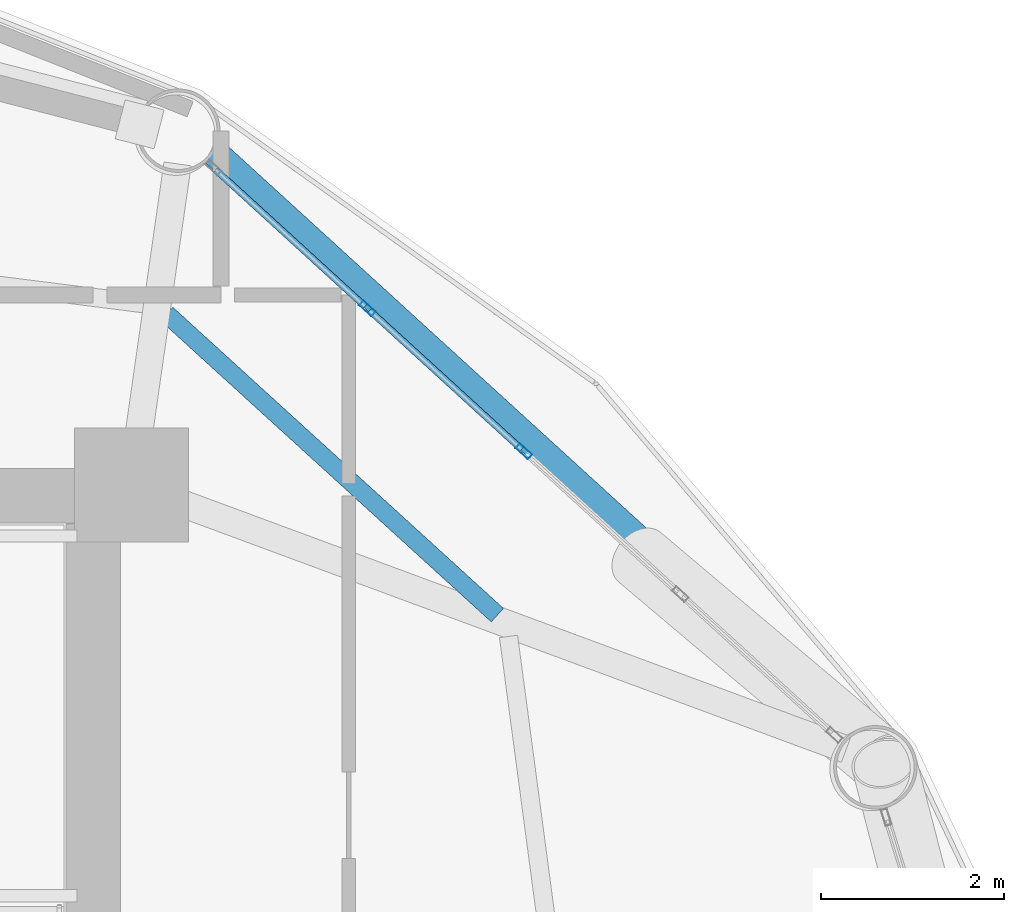
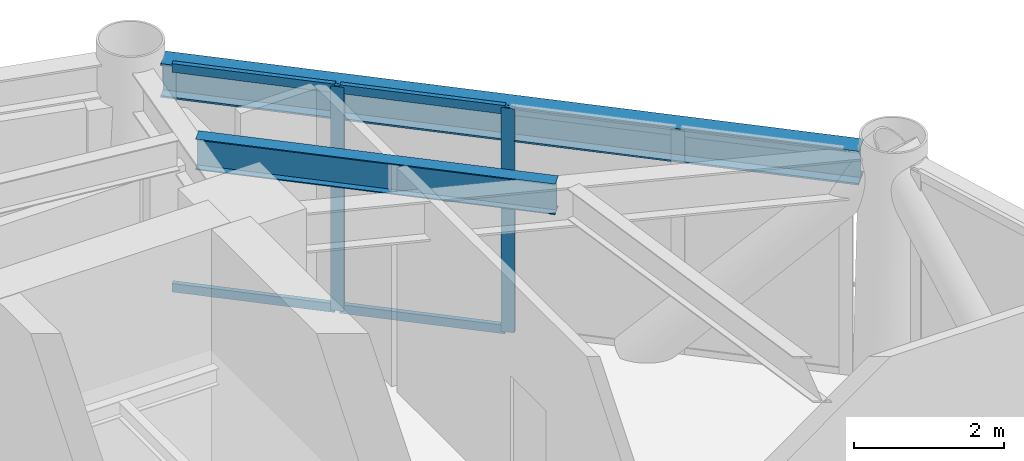
# One storey, part 20 of 26: 6 members, 2 beams, 1 element without a shape of its own.
"""IFC4 building model written with IfcOpenShell, lengths in metres."""

from ifc_helpers import new_model, si_unit, direction, frame, origin, origin_2d, place, context, subcontext, project, spatial, hollow_rectangle, i_section, extrude, material, layer, layer_set, material_profile, profile_set, type_object, element, aggregate, save


model = new_model("IFC4")

# Units and contexts
model_context = context("Model", 3, precision=1e-05, world=origin(), true_north=direction((0.0, 1.0)))
body_context = subcontext(model_context, "Body", "Model", "MODEL_VIEW")
ifc_project = project(units=[si_unit("LENGTHUNIT", "METRE"), si_unit("AREAUNIT", "SQUARE_METRE"), si_unit("VOLUMEUNIT", "CUBIC_METRE"), si_unit("PLANEANGLEUNIT", "RADIAN"), si_unit("MASSUNIT", "GRAM", prefix="KILO")], contexts=[model_context])

# Site, building, storey
site_placement = place(None, origin())
site = spatial("IfcSite", under=ifc_project, at=site_placement, CompositionType="ELEMENT")
building_placement = place(site_placement, origin())
building = spatial("IfcBuilding", under=site, at=building_placement, Name="Varnakorn Sky Granary", CompositionType="ELEMENT")
storey_placement = place(building_placement, frame((0.0, 0.0, 47.10009765625)))
storey = spatial("IfcBuildingStorey", under=building, at=storey_placement, Name="L11", CompositionType="ELEMENT", Elevation=47.10009765625)

# Beams
ifc_material_1 = material(Name="Steel S355JR", Category="steel")
ifc_material_profile_1 = material_profile(ifc_material_1, i_section(OverallWidth=0.199951171875, OverallDepth=0.5, WebThickness=0.01025390625, FlangeThickness=0.01611328125, at=origin_2d()), Name="IPE 500")
ifc_profile_set_1 = profile_set([ifc_material_profile_1], Name="Steel S355JR")
beam_type_1 = type_object("IfcBeamType", Name="BM-SEC-Z1", PredefinedType="BEAM", material=ifc_profile_set_1)
beam_1_placement = place(storey_placement, frame((12.427734375, 11.192626953125, 3.389892578125), z_axis=(-0.739322005962, 0.673352041284, 0.0), x_axis=(-0.673352041284, -0.739322005962, 0.0)))
element("IfcBeam", 1, at=beam_1_placement, inside=storey, type_object=beam_type_1, Name="Secondary Floor Chord Beam MSB02 L11", PredefinedType="BEAM", context=body_context, shape_type="SweptSolid", body=[
    extrude(i_section(OverallWidth=0.199951171875, OverallDepth=0.5, WebThickness=0.01025390625, FlangeThickness=0.01611328125, at=origin_2d()), origin(), (0.0, 0.0, 1.0), 4.89990234375),
])
ifc_material_profile_2 = material_profile(ifc_material_1, i_section(OverallWidth=0.300048828125, OverallDepth=0.550048828125, WebThickness=0.014892578125, FlangeThickness=0.029052734375, at=origin_2d()), Name="HE 550 B")
ifc_profile_set_2 = profile_set([ifc_material_profile_2], Name="Steel S355JR")
beam_type_2 = type_object("IfcBeamType", Name="BM-SPD-Z1", PredefinedType="SPANDREL", material=ifc_profile_set_2)
beam_2_placement = place(storey_placement, frame((16.336669921875, 9.866943359375, 3.364990234375), z_axis=(-0.73868168788, 0.674054422129, 0.0), x_axis=(-0.674054422129, -0.73868168788, 0.0)))
element("IfcBeam", 2, at=beam_2_placement, inside=storey, type_object=beam_type_2, Name="Perimeter Spandrel Ring Beam RB02 L11", PredefinedType="SPANDREL", context=body_context, shape_type="SweptSolid", body=[
    extrude(i_section(OverallWidth=0.300048828125, OverallDepth=0.550048828125, WebThickness=0.014892578125, FlangeThickness=0.029052734375, at=origin_2d()), origin(), (0.0, 0.0, 1.0), 9.50830078125),
])

# Curtain wall, members
ifc_material_2 = material(Name="Anodised Bronze Aluminium Alloy 6063-T6", Category="aluminium")
ifc_layer = layer(ifc_material_2, 0.18994140625, Name="Anodised Bronze Aluminium Alloy 6063-T6")
ifc_layer_set = layer_set([ifc_layer], Name="Anodised Bronze Aluminium Alloy 6063-T6")
curtain_wall_type = type_object("IfcCurtainWallType", Name="CW-FRM-1", PredefinedType="USERDEFINED", material=ifc_layer_set)
curtain_wall_placement = place(storey_placement, origin())
curtain_wall = element("IfcCurtainWall", 3, at=curtain_wall_placement, inside=storey, type_object=curtain_wall_type, Name="Unitised Curtain Wall CW3 CW-L11-B02", ObjectType="CURTAIN WALL", PredefinedType="USERDEFINED")
ifc_material_profile_3 = material_profile(ifc_material_2, hollow_rectangle(XDim=0.070068359375, YDim=0.18505859375, WallThickness=0.00390625, at=origin_2d()), Name="ALU MULL 70x185")
ifc_profile_set_3 = profile_set([ifc_material_profile_3], Name="Anodised Bronze Aluminium Alloy 6063-T6")
member_type_1 = type_object("IfcMemberType", Name="CW-FRM-1-MULL", PredefinedType="MULLION", material=ifc_profile_set_3)
member_1_placement = place(storey_placement, frame((11.0029296875, 14.55322265625, 0.0), z_axis=(0.0, 0.0, 1.0), x_axis=(0.674464438954, 0.738307334777, 0.0)))
member_1 = element("IfcMember", 4, at=member_1_placement, type_object=member_type_1, Name="CW3 mullion 2", PredefinedType="MULLION", context=body_context, shape_type="SweptSolid", body=[
    extrude(hollow_rectangle(XDim=0.070068359375, YDim=0.18505859375, WallThickness=0.00390625, at=origin_2d()), origin(), (0.0, 0.0, 1.0), 3.639892578125),
])
member_2_placement = place(storey_placement, frame((12.716796875, 12.987548828125, 0.0), z_axis=(0.0, 0.0, 1.0), x_axis=(0.674464438954, 0.738307334777, 0.0)))
member_2 = element("IfcMember", 5, at=member_2_placement, type_object=member_type_1, Name="CW3 mullion 3", PredefinedType="MULLION", context=body_context, shape_type="SweptSolid", body=[
    extrude(hollow_rectangle(XDim=0.070068359375, YDim=0.18505859375, WallThickness=0.00390625, at=origin_2d()), origin(), (0.0, 0.0, 1.0), 3.639892578125),
])
ifc_material_profile_4 = material_profile(ifc_material_2, hollow_rectangle(XDim=0.070068359375, YDim=0.139892578125, WallThickness=0.00341796875, at=origin_2d()), Name="ALU TRAN 70x140")
ifc_profile_set_4 = profile_set([ifc_material_profile_4], Name="Anodised Bronze Aluminium Alloy 6063-T6")
member_type_2 = type_object("IfcMemberType", Name="CW-FRM-1-TRAN", PredefinedType="USERDEFINED", material=ifc_profile_set_4)
member_3_placement = place(storey_placement, frame((9.3408203125, 16.071533203125, 0.034912109375), z_axis=(0.738328085792, -0.674441723005, 0.0), x_axis=(0.674441723005, 0.738328085792, 0.0)))
member_3 = element("IfcMember", 6, at=member_3_placement, type_object=member_type_2, Name="CW3 transom 1.1", ObjectType="TRANSOM", PredefinedType="USERDEFINED", context=body_context, shape_type="SweptSolid", body=[
    extrude(hollow_rectangle(XDim=0.070068359375, YDim=0.139892578125, WallThickness=0.00341796875, at=origin_2d()), origin(), (0.0, 0.0, 1.0), 2.216552734375),
])
member_4_placement = place(storey_placement, frame((9.3408203125, 16.071533203125, 3.60498046875), z_axis=(0.738328085792, -0.674441723005, 0.0), x_axis=(0.674441723005, 0.738328085792, 0.0)))
member_4 = element("IfcMember", 7, at=member_4_placement, type_object=member_type_2, Name="CW3 transom 1.2", ObjectType="TRANSOM", PredefinedType="USERDEFINED", context=body_context, shape_type="SweptSolid", body=[
    extrude(hollow_rectangle(XDim=0.070068359375, YDim=0.139892578125, WallThickness=0.00341796875, at=origin_2d()), origin(), (0.0, 0.0, 1.0), 2.216552734375),
])
member_5_placement = place(storey_placement, frame((11.02880859375, 14.529541015625, 0.034912109375), z_axis=(0.738318797887, -0.674451890565, 0.0), x_axis=(0.674451890565, 0.738318797887, 0.0)))
member_5 = element("IfcMember", 8, at=member_5_placement, type_object=member_type_2, Name="CW3 transom 2.1", ObjectType="TRANSOM", PredefinedType="USERDEFINED", context=body_context, shape_type="SweptSolid", body=[
    extrude(hollow_rectangle(XDim=0.070068359375, YDim=0.139892578125, WallThickness=0.00341796875, at=origin_2d()), origin(), (0.0, 0.0, 1.0), 2.25146484375),
])
member_6_placement = place(storey_placement, frame((11.02880859375, 14.529541015625, 3.60498046875), z_axis=(0.738318797887, -0.674451890565, 0.0), x_axis=(0.674451890565, 0.738318797887, 0.0)))
member_6 = element("IfcMember", 9, at=member_6_placement, type_object=member_type_2, Name="CW3 transom 2.2", ObjectType="TRANSOM", PredefinedType="USERDEFINED", context=body_context, shape_type="SweptSolid", body=[
    extrude(hollow_rectangle(XDim=0.070068359375, YDim=0.139892578125, WallThickness=0.00341796875, at=origin_2d()), origin(), (0.0, 0.0, 1.0), 2.25146484375),
])
aggregate(curtain_wall, [member_1, member_2, member_3, member_4, member_5, member_6])

save(model, "model.ifc")
